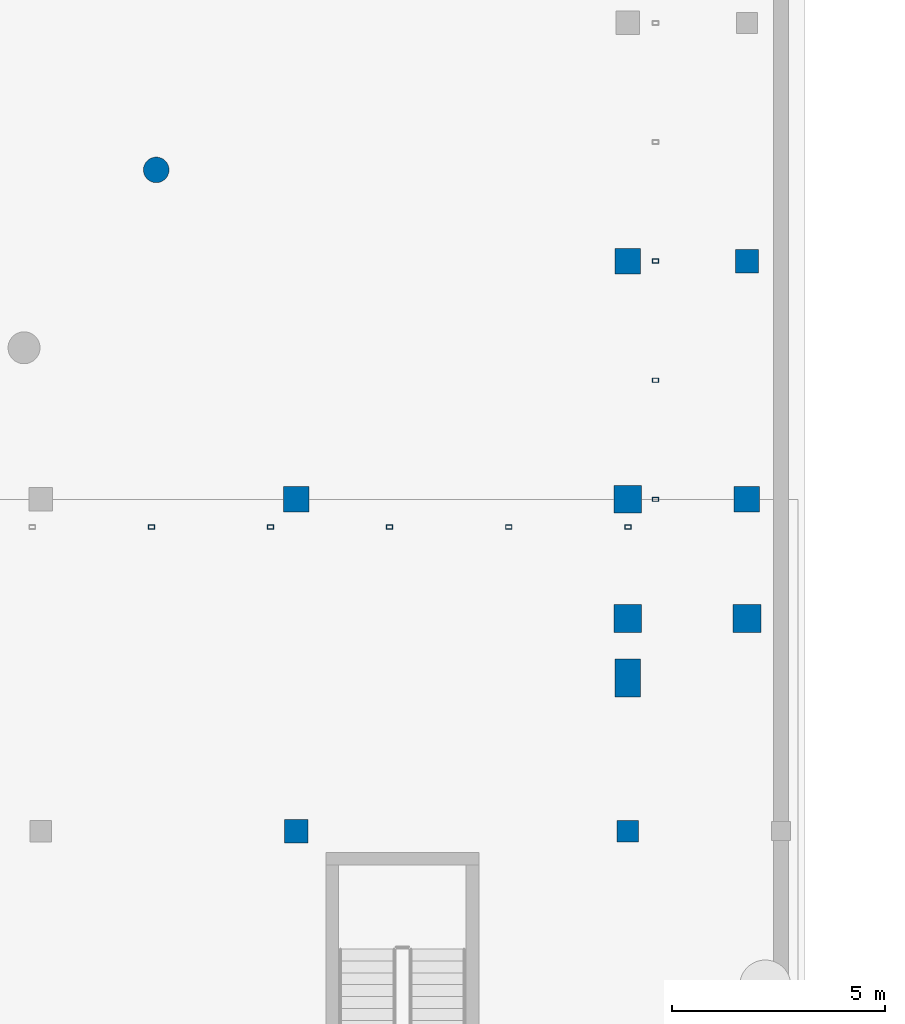
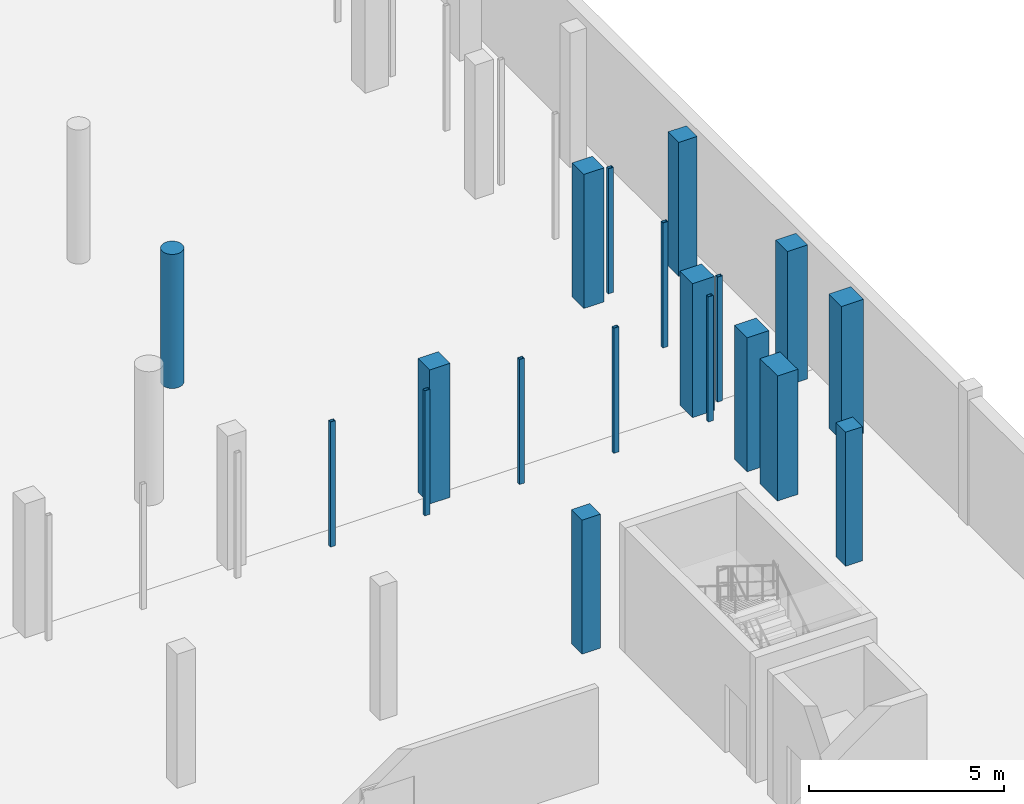
# One storey, part 11 of 34: 19 columns.
"""IFC4 building model written with IfcOpenShell, lengths in metres."""

import ifcopenshell
import ifcopenshell.guid

model = None  # the IFC model being written
_history = None  # IfcOwnerHistory: only IFC2X3 demands one
_inside = {}  # id of a spatial element -> (the spatial element, [elements in it])
_under = {}  # id of a project, library or spatial element -> (it, [spatial elements below it])
_declared = {}  # id of a project -> (the project, [libraries it declares])
_typed = {}  # id of a type object -> (the type object, [elements of that type])
_made_of = {}  # id of a material, layer set ... -> (it, [elements and type objects made of it])


def new_model(schema):
    """Start an empty IFC model of exactly this schema.

    Asked for "IFC4X3", IfcOpenShell would pick the latest addendum, in which some entities
    have other attributes; the version numbers below select the first issue.
    IFC2X3 requires an IfcOwnerHistory on every rooted entity: one is made here for all.
    """
    global model, _history
    if schema == "IFC4X3":
        model = ifcopenshell.file(schema_version=(4, 3, 0, 0))
    else:
        model = ifcopenshell.file(schema=schema)
    _inside.clear()
    _under.clear()
    _declared.clear()
    _typed.clear()
    _made_of.clear()
    _history = None
    if model.schema == "IFC2X3":
        org = make("IfcOrganization", Name="unknown")
        user = make(
            "IfcPersonAndOrganization",
            ThePerson=make("IfcPerson", FamilyName="unknown"),
            TheOrganization=org,
        )
        app = make(
            "IfcApplication",
            ApplicationDeveloper=org,
            Version="unknown",
            ApplicationFullName="unknown",
            ApplicationIdentifier="unknown",
        )
        _history = make(
            "IfcOwnerHistory",
            OwningUser=user,
            OwningApplication=app,
            ChangeAction="ADDED",
            CreationDate=0,
        )
    return model


def make(cls, **values):
    """One entity of the class cls with the attributes given. An attribute that is None is left unset."""
    return model.create_entity(
        cls, **{name: value for name, value in values.items() if value is not None}
    )


def rooted(cls, **values):
    """An entity with a GlobalId (a new one), such as an element, a storey or a relation."""
    return make(cls, GlobalId=ifcopenshell.guid.new(), OwnerHistory=_history, **values)


def si_unit(unit_type, name, prefix=None):
    """IfcSIUnit, for example si_unit("LENGTHUNIT", "METRE", prefix="MILLI")."""
    return make("IfcSIUnit", UnitType=unit_type, Prefix=prefix, Name=name)


def assignment(units):
    """IfcUnitAssignment: the units of a project."""
    return None if units is None else make("IfcUnitAssignment", Units=units)


def point(xyz):
    """IfcCartesianPoint."""
    return None if xyz is None else make("IfcCartesianPoint", Coordinates=xyz)


def direction(xyz):
    """IfcDirection."""
    return None if xyz is None else make("IfcDirection", DirectionRatios=xyz)


def frame(location, z_axis=None, x_axis=None):
    """IfcAxis2Placement3D, a coordinate frame: its origin and axes. An axis left out is left unset."""
    return make(
        "IfcAxis2Placement3D",
        Location=point(location),
        Axis=direction(z_axis),
        RefDirection=direction(x_axis),
    )


def frame_2d(location, x_axis=None):
    """IfcAxis2Placement2D, a coordinate frame in the plane: its origin and x axis."""
    return make(
        "IfcAxis2Placement2D", Location=point(location), RefDirection=direction(x_axis)
    )


def origin():
    """The frame at (0, 0, 0) with its axes left unset."""
    return frame((0.0, 0.0, 0.0))


def origin_2d():
    """The frame at (0, 0) in the plane with its x axis left unset."""
    return frame_2d((0.0, 0.0))


def place(relative_to, where):
    """IfcLocalPlacement: puts the frame where relative to a parent placement (None: the world)."""
    return make(
        "IfcLocalPlacement", PlacementRelTo=relative_to, RelativePlacement=where
    )


def context(
    kind, dimensions, precision=None, world=None, true_north=None, identifier=None
):
    """IfcGeometricRepresentationContext, for example the 3D "Model" context."""
    return make(
        "IfcGeometricRepresentationContext",
        ContextIdentifier=identifier,
        ContextType=kind,
        CoordinateSpaceDimension=dimensions,
        Precision=precision,
        WorldCoordinateSystem=world,
        TrueNorth=true_north,
    )


def subcontext(parent, identifier, kind, view, scale=None):
    """IfcGeometricRepresentationSubContext, for example "Body" below "Model"."""
    return make(
        "IfcGeometricRepresentationSubContext",
        ContextIdentifier=identifier,
        ContextType=kind,
        ParentContext=parent,
        TargetScale=scale,
        TargetView=view,
    )


def project(units=None, contexts=None):
    """IfcProject with its units and contexts."""
    return rooted(
        "IfcProject",
        Name="project",
        RepresentationContexts=contexts,
        UnitsInContext=assignment(units),
    )


def spatial(cls, under=None, at=None, **own):
    """A site, building, storey or space (cls), placed at a placement, below another one or the project."""
    s = rooted(cls, ObjectPlacement=at, **own)
    if under is not None:
        _under.setdefault(under.id(), (under, []))[1].append(s)
    return s


def profile(cls, at=None, kind="AREA", **sizes):
    """A parametric profile (cls). Its sizes go by their IFC names, for example OverallWidth=200.0."""
    return make(cls, ProfileType=kind, Position=at, **sizes)


def rectangle(**sizes):
    """IfcRectangleProfileDef."""
    return profile("IfcRectangleProfileDef", **sizes)


def hollow_rectangle(**sizes):
    """IfcRectangleHollowProfileDef."""
    return profile("IfcRectangleHollowProfileDef", **sizes)


def circle(**sizes):
    """IfcCircleProfileDef."""
    return profile("IfcCircleProfileDef", **sizes)


def extrude(swept, where, along, depth):
    """IfcExtrudedAreaSolid: the profile swept, set in the frame where, extruded along a direction by depth."""
    return make(
        "IfcExtrudedAreaSolid",
        SweptArea=swept,
        Position=where,
        ExtrudedDirection=direction(along),
        Depth=depth,
    )


def shape(context_of_items, identifier, shape_type, items):
    """IfcShapeRepresentation: the items that make up one representation, for example the "Body"."""
    return make(
        "IfcShapeRepresentation",
        ContextOfItems=context_of_items,
        RepresentationIdentifier=identifier,
        RepresentationType=shape_type,
        Items=items,
    )


def material(Name=None, Category=None):
    """IfcMaterial."""
    return make("IfcMaterial", Name=Name, Category=Category)


def material_profile(
    of_material, cross_section, Name=None, Category=None, Priority=None
):
    """IfcMaterialProfile: a cross section and its material."""
    return make(
        "IfcMaterialProfile",
        Name=Name,
        Material=of_material,
        Profile=cross_section,
        Priority=Priority,
        Category=Category,
    )


def profile_set(profiles, Name=None, composite=None):
    """IfcMaterialProfileSet."""
    return make(
        "IfcMaterialProfileSet",
        Name=Name,
        MaterialProfiles=profiles,
        CompositeProfile=composite,
    )


def made_of(thing, what):
    """Note that an element or type object is made of a material, layer set ...; save() writes the relation."""
    if what is not None:
        _made_of.setdefault(what.id(), (what, []))[1].append(thing)
    return thing


def type_object(cls, material=None, **own):
    """A type object (cls), such as IfcWallType, which elements share."""
    return made_of(rooted(cls, **own), material)


def element(
    cls,
    number,
    at=None,
    inside=None,
    cuts=None,
    type_object=None,
    material=None,
    context=None,
    identifier="Body",
    shape_type=None,
    held_by="IfcProductDefinitionShape",
    body=None,
    shapes=None,
    **own,
):
    """One element of the class cls, such as IfcWall. Its Tag is "e" and its number.

    at: its placement. inside: the storey or other place that contains it. cuts: it is an
    opening in that element (IfcRelVoidsElement). A single representation is given by context,
    identifier, shape_type and body (its items); several are given by shapes. held_by: the class
    of the entity that holds the representations. save() writes the other relations.
    """
    e = rooted(cls, Tag="e%d" % number, ObjectPlacement=at, **own)
    if body is not None:
        shapes = [shape(context, identifier, shape_type, body)]
    if shapes is not None:
        e.Representation = make(held_by, Representations=shapes)
    if inside is not None:
        _inside.setdefault(inside.id(), (inside, []))[1].append(e)
    if cuts is not None:
        rooted(
            "IfcRelVoidsElement", RelatingBuildingElement=cuts, RelatedOpeningElement=e
        )
    if type_object is not None:
        _typed.setdefault(type_object.id(), (type_object, []))[1].append(e)
    return made_of(e, material)


def aggregate(whole, parts):
    """IfcRelAggregates: a whole, such as a stair, and the parts it consists of."""
    return rooted("IfcRelAggregates", RelatingObject=whole, RelatedObjects=parts)


def save(model, path):
    """Write the relations noted so far, then the file.

    IfcRelAggregates (storeys below a building ...), IfcRelContainedInSpatialStructure (elements
    in a storey), IfcRelDefinesByType, IfcRelAssociatesMaterial and IfcRelDeclares: one each for
    every whole, place, type object, material and project.
    """
    for whole, parts in _under.values():
        aggregate(whole, parts)
    for where, things in _inside.values():
        rooted(
            "IfcRelContainedInSpatialStructure",
            RelatedElements=things,
            RelatingStructure=where,
        )
    for kind, things in _typed.values():
        rooted("IfcRelDefinesByType", RelatedObjects=things, RelatingType=kind)
    for what, things in _made_of.values():
        rooted("IfcRelAssociatesMaterial", RelatedObjects=things, RelatingMaterial=what)
    for by, libraries in _declared.values():
        rooted("IfcRelDeclares", RelatingContext=by, RelatedDefinitions=libraries)
    model.write(path)


model = new_model("IFC4")

# Units and contexts
model_context = context("Model", 3, precision=1e-05, world=origin(), true_north=direction((0.0, 1.0)))
body_context = subcontext(model_context, "Body", "Model", "MODEL_VIEW")
ifc_project = project(units=[si_unit("LENGTHUNIT", "METRE"), si_unit("AREAUNIT", "SQUARE_METRE"), si_unit("VOLUMEUNIT", "CUBIC_METRE"), si_unit("PLANEANGLEUNIT", "RADIAN"), si_unit("MASSUNIT", "GRAM", prefix="KILO")], contexts=[model_context])

# Site, building, storey
site_placement = place(None, origin())
site = spatial("IfcSite", under=ifc_project, at=site_placement, CompositionType="ELEMENT")
building_placement = place(site_placement, origin())
building = spatial("IfcBuilding", under=site, at=building_placement, Name="Vinh Khe Railworks Police Headquarters", CompositionType="ELEMENT")
storey_placement = place(building_placement, frame((0.0, 0.0, -4.199951171875)))
storey = spatial("IfcBuildingStorey", under=building, at=storey_placement, Name="B1", CompositionType="ELEMENT", Elevation=-4.199951171875)

# Columns
ifc_material_1 = material(Name="Steel S355JR", Category="steel")
ifc_material_profile_1 = material_profile(ifc_material_1, hollow_rectangle(XDim=0.14990234375, YDim=0.10009765625, WallThickness=0.008056640625, at=origin_2d()), Name="RHS 150x100x8")
ifc_profile_set_1 = profile_set([ifc_material_profile_1], Name="Steel S355JR")
column_type_1 = type_object("IfcColumnType", Name="COL-QUILT-POST", PredefinedType="COLUMN", material=ifc_profile_set_1)
for number, where, z_axis, x_axis, name in (
    (1, (48.800048828125, 24.550048828125, 0.0), (0.0, 0.0, 1.0), (1.0, 0.0, 0.0), "Patchwork Quilt Plinth Column S-9 (B1)"),
    (2, (51.60009765625, 24.550048828125, 0.0), (0.0, 0.0, 1.0), (1.0, 0.0, 0.0), "Patchwork Quilt Plinth Column S-10 (B1)"),
    (3, (54.39990234375, 24.550048828125, 0.0), (0.0, 0.0, 1.0), (1.0, 0.0, 0.0), "Patchwork Quilt Plinth Column S-11 (B1)"),
    (4, (57.199951171875, 24.550048828125, 0.0), (0.0, 0.0, 1.0), (1.0, 0.0, 0.0), "Patchwork Quilt Plinth Column S-12 (B1)"),
    (5, (60.0, 24.550048828125, 0.0), (0.0, 0.0, 1.0), (1.0, 0.0, 0.0), "Patchwork Quilt Plinth Column S-13 (B1)"),
    (6, (60.64990234375, 25.199951171875, 0.0), (0.0, 0.0, 1.0), (1.0, 0.0, 0.0), "Patchwork Quilt Plinth Column E-1 (B1)"),
    (7, (60.64990234375, 28.0, 0.0), (0.0, 0.0, 1.0), (1.0, 0.0, 0.0), "Patchwork Quilt Plinth Column E-2 (B1)"),
    (8, (60.64990234375, 30.800048828125, 0.0), (0.0, 0.0, 1.0), (1.0, 0.0, 0.0), "Patchwork Quilt Plinth Column E-3 (B1)"),
):
    element("IfcColumn", number, at=place(storey_placement, frame(where, z_axis=z_axis, x_axis=x_axis)), inside=storey, type_object=column_type_1, Name=name, PredefinedType="COLUMN", context=body_context, shape_type="SweptSolid", body=[
        extrude(hollow_rectangle(XDim=0.14990234375, YDim=0.10009765625, WallThickness=0.008056640625, at=origin_2d()), origin(), (0.0, 0.0, 1.0), 3.919921875),
    ])
ifc_material_2 = material(Name="Concrete C40/50 (B40)", Category="concrete")
ifc_material_profile_2 = material_profile(ifc_material_2, rectangle(XDim=0.5, YDim=0.5, at=origin_2d()), Name="RC 500x500")
ifc_profile_set_2 = profile_set([ifc_material_profile_2], Name="Concrete C40/50 (B40)")
column_type_2 = type_object("IfcColumnType", Name="RC Column RC 500x500", PredefinedType="COLUMN", material=ifc_profile_set_2)
column_1_placement = place(storey_placement, frame((60.0, 17.39990234375, 0.0), z_axis=(0.0, 0.0, 1.0), x_axis=(1.0, 0.0, 0.0)))
element("IfcColumn", 9, at=column_1_placement, inside=storey, type_object=column_type_2, Name="Column COL-B1-CC-07-0998", PredefinedType="COLUMN", context=body_context, shape_type="SweptSolid", body=[
    extrude(rectangle(XDim=0.5, YDim=0.5, at=origin_2d()), origin(), (0.0, 0.0, 1.0), 4.199951171875),
])
ifc_material_profile_3 = material_profile(ifc_material_2, rectangle(XDim=0.550048828125, YDim=0.550048828125, at=origin_2d()), Name="RC 550x550")
ifc_profile_set_3 = profile_set([ifc_material_profile_3], Name="Concrete C40/50 (B40)")
column_type_3 = type_object("IfcColumnType", Name="RC Column RC 550x550", PredefinedType="COLUMN", material=ifc_profile_set_3)
for number, where, z_axis, x_axis, name in (
    (10, (52.199951171875, 17.39990234375, 0.0), (0.0, 0.0, 1.0), (1.0, 0.0, 0.0), "Column COL-B1-CC-06-0965"),
    (11, (62.800048828125, 30.800048828125, 0.0), (0.0, 0.0, 1.0), (1.0, 0.0, 0.0), "Column COL-B1-CC-06-1076"),
):
    element("IfcColumn", number, at=place(storey_placement, frame(where, z_axis=z_axis, x_axis=x_axis)), inside=storey, type_object=column_type_3, Name=name, PredefinedType="COLUMN", context=body_context, shape_type="SweptSolid", body=[
        extrude(rectangle(XDim=0.550048828125, YDim=0.550048828125, at=origin_2d()), origin(), (0.0, 0.0, 1.0), 4.199951171875),
    ])
ifc_material_profile_4 = material_profile(ifc_material_2, rectangle(XDim=0.60009765625, YDim=0.60009765625, at=origin_2d()), Name="RC 600x600")
ifc_profile_set_4 = profile_set([ifc_material_profile_4], Name="Concrete C40/50 (B40)")
column_type_4 = type_object("IfcColumnType", Name="RC Column RC 600x600", PredefinedType="COLUMN", material=ifc_profile_set_4)
for number, where, z_axis, x_axis, name in (
    (12, (52.199951171875, 25.199951171875, 0.0), (0.0, 0.0, 1.0), (1.0, 0.0, 0.0), "Column COL-B1-CC-05-0968"),
    (13, (60.0, 30.800048828125, 0.0), (0.0, 0.0, 1.0), (1.0, 0.0, 0.0), "Column COL-B1-CC-05-1012"),
    (14, (62.800048828125, 25.199951171875, 0.0), (0.0, 0.0, 1.0), (1.0, 0.0, 0.0), "Column COL-B1-CC-05-1071"),
):
    element("IfcColumn", number, at=place(storey_placement, frame(where, z_axis=z_axis, x_axis=x_axis)), inside=storey, type_object=column_type_4, Name=name, PredefinedType="COLUMN", context=body_context, shape_type="SweptSolid", body=[
        extrude(rectangle(XDim=0.60009765625, YDim=0.60009765625, at=origin_2d()), origin(), (0.0, 0.0, 1.0), 4.199951171875),
    ])
ifc_material_profile_5 = material_profile(ifc_material_2, rectangle(XDim=0.60009765625, YDim=0.89990234375, at=origin_2d()), Name="RC 600x900")
ifc_profile_set_5 = profile_set([ifc_material_profile_5], Name="Concrete C40/50 (B40)")
column_type_5 = type_object("IfcColumnType", Name="RC Column RC 600x900", PredefinedType="COLUMN", material=ifc_profile_set_5)
column_2_placement = place(storey_placement, frame((60.0, 21.0, 0.0), z_axis=(0.0, 0.0, 1.0), x_axis=(1.0, 0.0, 0.0)))
element("IfcColumn", 15, at=column_2_placement, inside=storey, type_object=column_type_5, Name="Column COL-B1-CC-10-1001", PredefinedType="COLUMN", context=body_context, shape_type="SweptSolid", body=[
    extrude(rectangle(XDim=0.60009765625, YDim=0.89990234375, at=origin_2d()), origin(), (0.0, 0.0, 1.0), 3.919921875),
])
ifc_material_profile_6 = material_profile(ifc_material_2, rectangle(XDim=0.64990234375, YDim=0.64990234375, at=origin_2d()), Name="RC 650x650")
ifc_profile_set_6 = profile_set([ifc_material_profile_6], Name="Concrete C40/50 (B40)")
column_type_6 = type_object("IfcColumnType", Name="RC Column RC 650x650", PredefinedType="COLUMN", material=ifc_profile_set_6)
for number, where, z_axis, x_axis, name in (
    (16, (60.0, 22.39990234375, 0.0), (0.0, 0.0, 1.0), (1.0, 0.0, 0.0), "Column COL-B1-CC-04-1002"),
    (17, (60.0, 25.199951171875, 0.0), (0.0, 0.0, 1.0), (1.0, 0.0, 0.0), "Column COL-B1-CC-04-1007"),
    (18, (62.800048828125, 22.39990234375, 0.0), (0.0, 0.0, 1.0), (1.0, 0.0, 0.0), "Column COL-B1-CC-04-1066"),
):
    element("IfcColumn", number, at=place(storey_placement, frame(where, z_axis=z_axis, x_axis=x_axis)), inside=storey, type_object=column_type_6, Name=name, PredefinedType="COLUMN", context=body_context, shape_type="SweptSolid", body=[
        extrude(rectangle(XDim=0.64990234375, YDim=0.64990234375, at=origin_2d()), origin(), (0.0, 0.0, 1.0), 4.199951171875),
    ])
ifc_material_profile_7 = material_profile(ifc_material_2, circle(Radius=0.300048828125, at=origin_2d()), Name="RC-CIRC D600")
ifc_profile_set_7 = profile_set([ifc_material_profile_7], Name="Concrete C40/50 (B40)")
column_type_7 = type_object("IfcColumnType", Name="RC Column RC-CIRC D600", PredefinedType="COLUMN", material=ifc_profile_set_7)
column_3_placement = place(storey_placement, frame((48.9130859375, 32.944091796875, 0.0), z_axis=(0.0, 0.0, 1.0), x_axis=(0.988148142789, -0.15350325046, 0.0)))
element("IfcColumn", 19, at=column_3_placement, inside=storey, type_object=column_type_7, Name="Column COL-B1-CC-11-0939", PredefinedType="COLUMN", context=body_context, shape_type="SweptSolid", body=[
    extrude(circle(Radius=0.300048828125, at=origin_2d()), origin(), (0.0, 0.0, 1.0), 4.199951171875),
])

save(model, "model.ifc")
